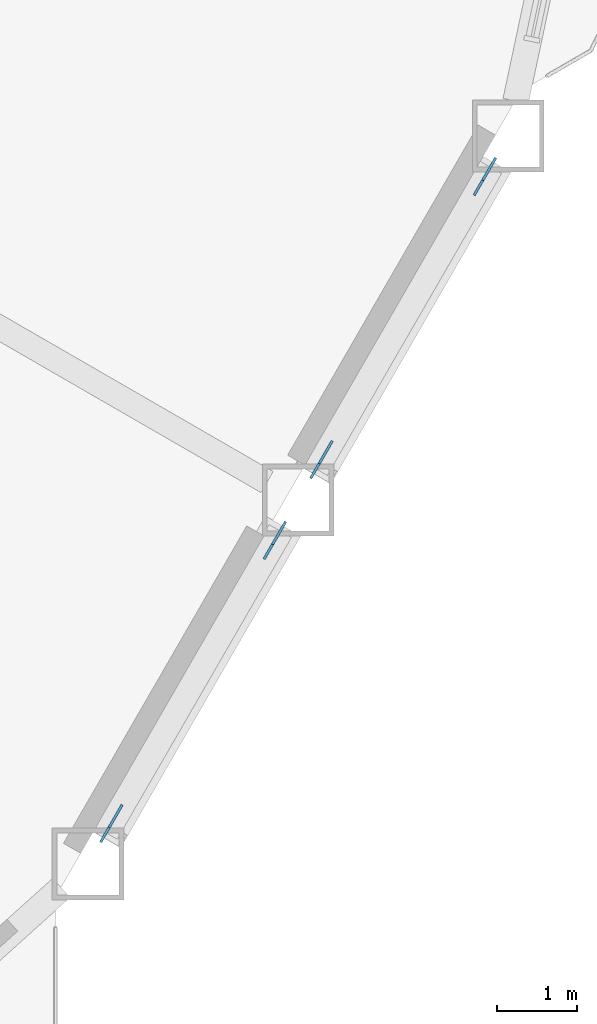
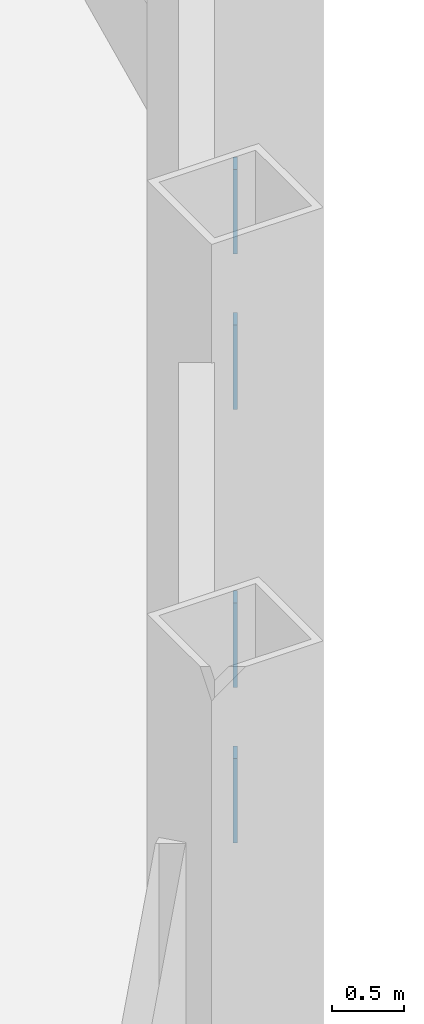
# One storey, part 15 of 21: 4 discrete accessories.
"""IFC4 building model written with IfcOpenShell, lengths in metres."""

import ifcopenshell
import ifcopenshell.guid

model = None  # the IFC model being written
_history = None  # IfcOwnerHistory: only IFC2X3 demands one
_inside = {}  # id of a spatial element -> (the spatial element, [elements in it])
_under = {}  # id of a project, library or spatial element -> (it, [spatial elements below it])
_declared = {}  # id of a project -> (the project, [libraries it declares])
_typed = {}  # id of a type object -> (the type object, [elements of that type])
_made_of = {}  # id of a material, layer set ... -> (it, [elements and type objects made of it])


def new_model(schema):
    """Start an empty IFC model of exactly this schema.

    Asked for "IFC4X3", IfcOpenShell would pick the latest addendum, in which some entities
    have other attributes; the version numbers below select the first issue.
    IFC2X3 requires an IfcOwnerHistory on every rooted entity: one is made here for all.
    """
    global model, _history
    if schema == "IFC4X3":
        model = ifcopenshell.file(schema_version=(4, 3, 0, 0))
    else:
        model = ifcopenshell.file(schema=schema)
    _inside.clear()
    _under.clear()
    _declared.clear()
    _typed.clear()
    _made_of.clear()
    _history = None
    if model.schema == "IFC2X3":
        org = make("IfcOrganization", Name="unknown")
        user = make(
            "IfcPersonAndOrganization",
            ThePerson=make("IfcPerson", FamilyName="unknown"),
            TheOrganization=org,
        )
        app = make(
            "IfcApplication",
            ApplicationDeveloper=org,
            Version="unknown",
            ApplicationFullName="unknown",
            ApplicationIdentifier="unknown",
        )
        _history = make(
            "IfcOwnerHistory",
            OwningUser=user,
            OwningApplication=app,
            ChangeAction="ADDED",
            CreationDate=0,
        )
    return model


def make(cls, **values):
    """One entity of the class cls with the attributes given. An attribute that is None is left unset."""
    return model.create_entity(
        cls, **{name: value for name, value in values.items() if value is not None}
    )


def rooted(cls, **values):
    """An entity with a GlobalId (a new one), such as an element, a storey or a relation."""
    return make(cls, GlobalId=ifcopenshell.guid.new(), OwnerHistory=_history, **values)


def si_unit(unit_type, name, prefix=None):
    """IfcSIUnit, for example si_unit("LENGTHUNIT", "METRE", prefix="MILLI")."""
    return make("IfcSIUnit", UnitType=unit_type, Prefix=prefix, Name=name)


def assignment(units):
    """IfcUnitAssignment: the units of a project."""
    return None if units is None else make("IfcUnitAssignment", Units=units)


def point(xyz):
    """IfcCartesianPoint."""
    return None if xyz is None else make("IfcCartesianPoint", Coordinates=xyz)


def direction(xyz):
    """IfcDirection."""
    return None if xyz is None else make("IfcDirection", DirectionRatios=xyz)


def frame(location, z_axis=None, x_axis=None):
    """IfcAxis2Placement3D, a coordinate frame: its origin and axes. An axis left out is left unset."""
    return make(
        "IfcAxis2Placement3D",
        Location=point(location),
        Axis=direction(z_axis),
        RefDirection=direction(x_axis),
    )


def frame_2d(location, x_axis=None):
    """IfcAxis2Placement2D, a coordinate frame in the plane: its origin and x axis."""
    return make(
        "IfcAxis2Placement2D", Location=point(location), RefDirection=direction(x_axis)
    )


def origin():
    """The frame at (0, 0, 0) with its axes left unset."""
    return frame((0.0, 0.0, 0.0))


def origin_2d():
    """The frame at (0, 0) in the plane with its x axis left unset."""
    return frame_2d((0.0, 0.0))


def place(relative_to, where):
    """IfcLocalPlacement: puts the frame where relative to a parent placement (None: the world)."""
    return make(
        "IfcLocalPlacement", PlacementRelTo=relative_to, RelativePlacement=where
    )


def context(
    kind, dimensions, precision=None, world=None, true_north=None, identifier=None
):
    """IfcGeometricRepresentationContext, for example the 3D "Model" context."""
    return make(
        "IfcGeometricRepresentationContext",
        ContextIdentifier=identifier,
        ContextType=kind,
        CoordinateSpaceDimension=dimensions,
        Precision=precision,
        WorldCoordinateSystem=world,
        TrueNorth=true_north,
    )


def subcontext(parent, identifier, kind, view, scale=None):
    """IfcGeometricRepresentationSubContext, for example "Body" below "Model"."""
    return make(
        "IfcGeometricRepresentationSubContext",
        ContextIdentifier=identifier,
        ContextType=kind,
        ParentContext=parent,
        TargetScale=scale,
        TargetView=view,
    )


def project(units=None, contexts=None):
    """IfcProject with its units and contexts."""
    return rooted(
        "IfcProject",
        Name="project",
        RepresentationContexts=contexts,
        UnitsInContext=assignment(units),
    )


def spatial(cls, under=None, at=None, **own):
    """A site, building, storey or space (cls), placed at a placement, below another one or the project."""
    s = rooted(cls, ObjectPlacement=at, **own)
    if under is not None:
        _under.setdefault(under.id(), (under, []))[1].append(s)
    return s


def profile(cls, at=None, kind="AREA", **sizes):
    """A parametric profile (cls). Its sizes go by their IFC names, for example OverallWidth=200.0."""
    return make(cls, ProfileType=kind, Position=at, **sizes)


def rectangle(**sizes):
    """IfcRectangleProfileDef."""
    return profile("IfcRectangleProfileDef", **sizes)


def extrude(swept, where, along, depth):
    """IfcExtrudedAreaSolid: the profile swept, set in the frame where, extruded along a direction by depth."""
    return make(
        "IfcExtrudedAreaSolid",
        SweptArea=swept,
        Position=where,
        ExtrudedDirection=direction(along),
        Depth=depth,
    )


def shape(context_of_items, identifier, shape_type, items):
    """IfcShapeRepresentation: the items that make up one representation, for example the "Body"."""
    return make(
        "IfcShapeRepresentation",
        ContextOfItems=context_of_items,
        RepresentationIdentifier=identifier,
        RepresentationType=shape_type,
        Items=items,
    )


def material(Name=None, Category=None):
    """IfcMaterial."""
    return make("IfcMaterial", Name=Name, Category=Category)


def material_profile(
    of_material, cross_section, Name=None, Category=None, Priority=None
):
    """IfcMaterialProfile: a cross section and its material."""
    return make(
        "IfcMaterialProfile",
        Name=Name,
        Material=of_material,
        Profile=cross_section,
        Priority=Priority,
        Category=Category,
    )


def profile_set(profiles, Name=None, composite=None):
    """IfcMaterialProfileSet."""
    return make(
        "IfcMaterialProfileSet",
        Name=Name,
        MaterialProfiles=profiles,
        CompositeProfile=composite,
    )


def made_of(thing, what):
    """Note that an element or type object is made of a material, layer set ...; save() writes the relation."""
    if what is not None:
        _made_of.setdefault(what.id(), (what, []))[1].append(thing)
    return thing


def type_object(cls, material=None, **own):
    """A type object (cls), such as IfcWallType, which elements share."""
    return made_of(rooted(cls, **own), material)


def element(
    cls,
    number,
    at=None,
    inside=None,
    cuts=None,
    type_object=None,
    material=None,
    context=None,
    identifier="Body",
    shape_type=None,
    held_by="IfcProductDefinitionShape",
    body=None,
    shapes=None,
    **own,
):
    """One element of the class cls, such as IfcWall. Its Tag is "e" and its number.

    at: its placement. inside: the storey or other place that contains it. cuts: it is an
    opening in that element (IfcRelVoidsElement). A single representation is given by context,
    identifier, shape_type and body (its items); several are given by shapes. held_by: the class
    of the entity that holds the representations. save() writes the other relations.
    """
    e = rooted(cls, Tag="e%d" % number, ObjectPlacement=at, **own)
    if body is not None:
        shapes = [shape(context, identifier, shape_type, body)]
    if shapes is not None:
        e.Representation = make(held_by, Representations=shapes)
    if inside is not None:
        _inside.setdefault(inside.id(), (inside, []))[1].append(e)
    if cuts is not None:
        rooted(
            "IfcRelVoidsElement", RelatingBuildingElement=cuts, RelatedOpeningElement=e
        )
    if type_object is not None:
        _typed.setdefault(type_object.id(), (type_object, []))[1].append(e)
    return made_of(e, material)


def aggregate(whole, parts):
    """IfcRelAggregates: a whole, such as a stair, and the parts it consists of."""
    return rooted("IfcRelAggregates", RelatingObject=whole, RelatedObjects=parts)


def save(model, path):
    """Write the relations noted so far, then the file.

    IfcRelAggregates (storeys below a building ...), IfcRelContainedInSpatialStructure (elements
    in a storey), IfcRelDefinesByType, IfcRelAssociatesMaterial and IfcRelDeclares: one each for
    every whole, place, type object, material and project.
    """
    for whole, parts in _under.values():
        aggregate(whole, parts)
    for where, things in _inside.values():
        rooted(
            "IfcRelContainedInSpatialStructure",
            RelatedElements=things,
            RelatingStructure=where,
        )
    for kind, things in _typed.values():
        rooted("IfcRelDefinesByType", RelatedObjects=things, RelatingType=kind)
    for what, things in _made_of.values():
        rooted("IfcRelAssociatesMaterial", RelatedObjects=things, RelatingMaterial=what)
    for by, libraries in _declared.values():
        rooted("IfcRelDeclares", RelatingContext=by, RelatedDefinitions=libraries)
    model.write(path)


model = new_model("IFC4")

# Units and contexts
model_context = context("Model", 3, precision=1e-05, world=origin(), true_north=direction((0.0, 1.0)))
body_context = subcontext(model_context, "Body", "Model", "MODEL_VIEW")
ifc_project = project(units=[si_unit("LENGTHUNIT", "METRE"), si_unit("AREAUNIT", "SQUARE_METRE"), si_unit("VOLUMEUNIT", "CUBIC_METRE"), si_unit("PLANEANGLEUNIT", "RADIAN"), si_unit("MASSUNIT", "GRAM", prefix="KILO")], contexts=[model_context])

# Site, building, storey
site_placement = place(None, origin())
site = spatial("IfcSite", under=ifc_project, at=site_placement, CompositionType="ELEMENT")
building_placement = place(site_placement, origin())
building = spatial("IfcBuilding", under=site, at=building_placement, Name="Cormorant Prow Tower", CompositionType="ELEMENT")
storey_placement = place(building_placement, frame((0.0, 0.0, 112.199951171875)))
storey = spatial("IfcBuildingStorey", under=building, at=storey_placement, Name="L23", CompositionType="ELEMENT", Elevation=112.199951171875)

# Discrete accessories
ifc_material = material(Name="Structural steel ASTM A500 Gr C", Category="steel")
ifc_material_profile = material_profile(ifc_material, rectangle(XDim=0.031982421875, YDim=0.60791015625, at=origin_2d()), Name="Gusset plate 32x608")
ifc_profile_set = profile_set([ifc_material_profile], Name="Structural steel ASTM A500 Gr C")
discrete_accessory_type = type_object("IfcDiscreteAccessoryType", Name="Gusset plate 32x608", PredefinedType="BRACKET", material=ifc_profile_set)
discrete_accessory_placement = place(storey_placement, frame((27.76025390625, -16.8916015625, 0.882568359375), z_axis=(0.468167615655, 0.810048586848, -0.353044431477), x_axis=(-0.865800459427, 0.500389412813, 0.0)))
element("IfcDiscreteAccessory", 1, at=discrete_accessory_placement, inside=storey, type_object=discrete_accessory_type, Name="Gusset plate GP1 L23.ESE00.g0", PredefinedType="BRACKET", context=body_context, shape_type="SweptSolid", body=[
    extrude(rectangle(XDim=0.031982421875, YDim=0.60791015625, at=origin_2d()), origin(), (0.0, 0.0, 1.0), 0.349853515625),
])
for number, where, z_axis, x_axis, name in (
    (2, (25.8740234375, -20.158935546875, 2.306396484375), (-0.467903125124, -0.810288273314, 0.352844979601), (0.865987003449, -0.500066505434, 0.0), "Gusset plate GP1 L23.ESE00.g1"),
    (3, (30.39501953125, -12.328125, 0.882568359375), (0.467903125124, 0.810288273314, -0.352844979601), (-0.865987003449, 0.500066505434, 0.0), "Gusset plate GP1 L23.ESE01.g0"),
    (4, (28.5087890625, -15.59521484375, 2.306396484375), (-0.467903125124, -0.810288273314, 0.352844979601), (0.865987003449, -0.500066505434, 0.0), "Gusset plate GP1 L23.ESE01.g1"),
):
    element("IfcDiscreteAccessory", number, at=place(storey_placement, frame(where, z_axis=z_axis, x_axis=x_axis)), inside=storey, type_object=discrete_accessory_type, Name=name, PredefinedType="BRACKET", context=body_context, shape_type="SweptSolid", body=[
        extrude(rectangle(XDim=0.031982421875, YDim=0.60791015625, at=origin_2d()), origin(), (0.0, 0.0, 1.0), 0.35009765625),
    ])

save(model, "model.ifc")
